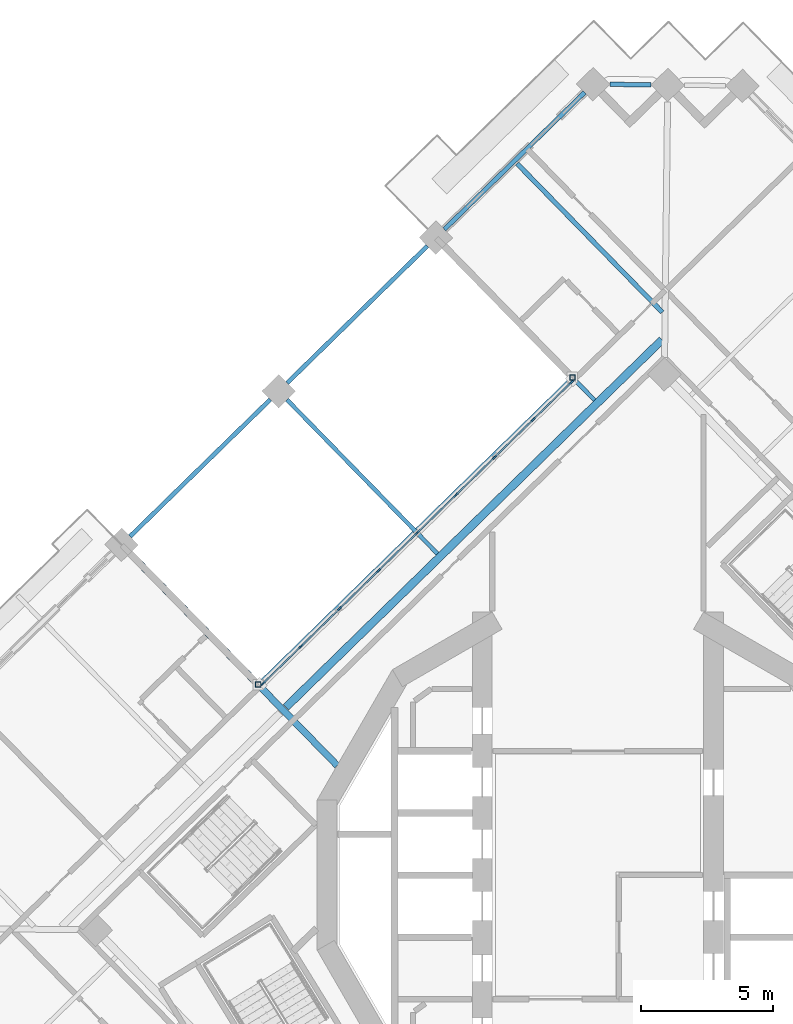
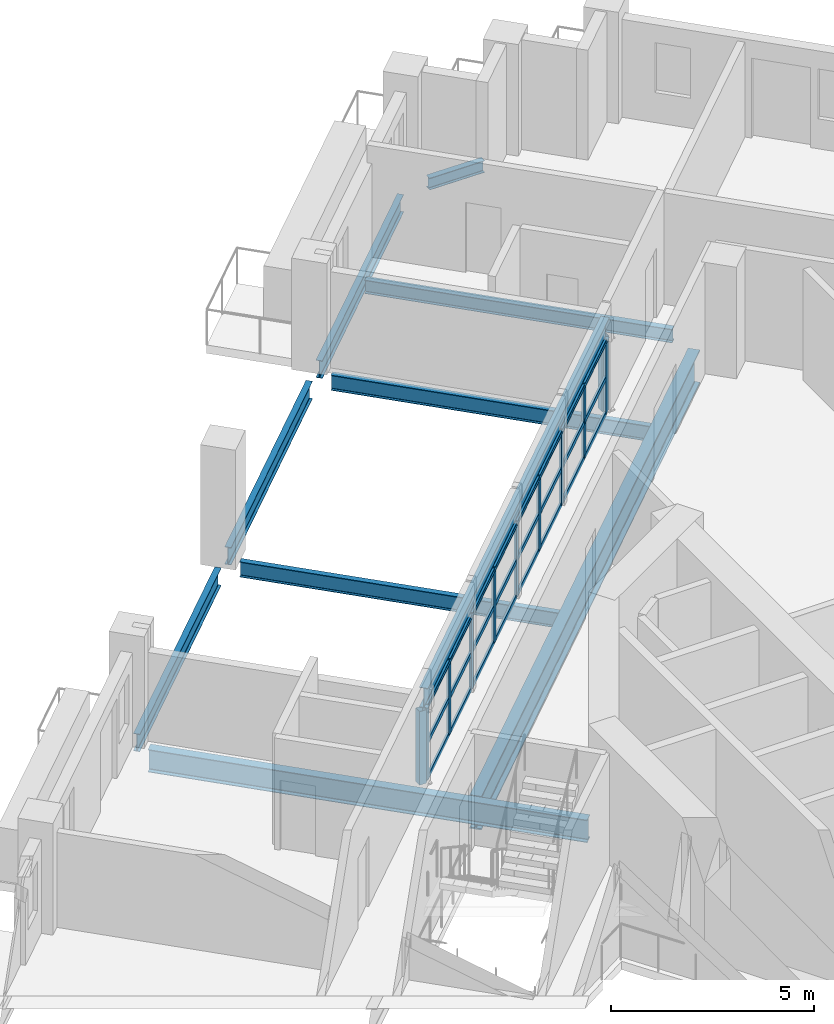
# One storey, part 2 of 19: 35 members, 10 beams, 1 element without a shape of its own.
"""IFC4 building model written with IfcOpenShell, lengths in metres."""

import ifcopenshell
import ifcopenshell.guid

model = None  # the IFC model being written
_history = None  # IfcOwnerHistory: only IFC2X3 demands one
_inside = {}  # id of a spatial element -> (the spatial element, [elements in it])
_under = {}  # id of a project, library or spatial element -> (it, [spatial elements below it])
_declared = {}  # id of a project -> (the project, [libraries it declares])
_typed = {}  # id of a type object -> (the type object, [elements of that type])
_made_of = {}  # id of a material, layer set ... -> (it, [elements and type objects made of it])


def new_model(schema):
    """Start an empty IFC model of exactly this schema.

    Asked for "IFC4X3", IfcOpenShell would pick the latest addendum, in which some entities
    have other attributes; the version numbers below select the first issue.
    IFC2X3 requires an IfcOwnerHistory on every rooted entity: one is made here for all.
    """
    global model, _history
    if schema == "IFC4X3":
        model = ifcopenshell.file(schema_version=(4, 3, 0, 0))
    else:
        model = ifcopenshell.file(schema=schema)
    _inside.clear()
    _under.clear()
    _declared.clear()
    _typed.clear()
    _made_of.clear()
    _history = None
    if model.schema == "IFC2X3":
        org = make("IfcOrganization", Name="unknown")
        user = make(
            "IfcPersonAndOrganization",
            ThePerson=make("IfcPerson", FamilyName="unknown"),
            TheOrganization=org,
        )
        app = make(
            "IfcApplication",
            ApplicationDeveloper=org,
            Version="unknown",
            ApplicationFullName="unknown",
            ApplicationIdentifier="unknown",
        )
        _history = make(
            "IfcOwnerHistory",
            OwningUser=user,
            OwningApplication=app,
            ChangeAction="ADDED",
            CreationDate=0,
        )
    return model


def make(cls, **values):
    """One entity of the class cls with the attributes given. An attribute that is None is left unset."""
    return model.create_entity(
        cls, **{name: value for name, value in values.items() if value is not None}
    )


def rooted(cls, **values):
    """An entity with a GlobalId (a new one), such as an element, a storey or a relation."""
    return make(cls, GlobalId=ifcopenshell.guid.new(), OwnerHistory=_history, **values)


def si_unit(unit_type, name, prefix=None):
    """IfcSIUnit, for example si_unit("LENGTHUNIT", "METRE", prefix="MILLI")."""
    return make("IfcSIUnit", UnitType=unit_type, Prefix=prefix, Name=name)


def assignment(units):
    """IfcUnitAssignment: the units of a project."""
    return None if units is None else make("IfcUnitAssignment", Units=units)


def point(xyz):
    """IfcCartesianPoint."""
    return None if xyz is None else make("IfcCartesianPoint", Coordinates=xyz)


def direction(xyz):
    """IfcDirection."""
    return None if xyz is None else make("IfcDirection", DirectionRatios=xyz)


def frame(location, z_axis=None, x_axis=None):
    """IfcAxis2Placement3D, a coordinate frame: its origin and axes. An axis left out is left unset."""
    return make(
        "IfcAxis2Placement3D",
        Location=point(location),
        Axis=direction(z_axis),
        RefDirection=direction(x_axis),
    )


def frame_2d(location, x_axis=None):
    """IfcAxis2Placement2D, a coordinate frame in the plane: its origin and x axis."""
    return make(
        "IfcAxis2Placement2D", Location=point(location), RefDirection=direction(x_axis)
    )


def origin():
    """The frame at (0, 0, 0) with its axes left unset."""
    return frame((0.0, 0.0, 0.0))


def origin_2d():
    """The frame at (0, 0) in the plane with its x axis left unset."""
    return frame_2d((0.0, 0.0))


def place(relative_to, where):
    """IfcLocalPlacement: puts the frame where relative to a parent placement (None: the world)."""
    return make(
        "IfcLocalPlacement", PlacementRelTo=relative_to, RelativePlacement=where
    )


def context(
    kind, dimensions, precision=None, world=None, true_north=None, identifier=None
):
    """IfcGeometricRepresentationContext, for example the 3D "Model" context."""
    return make(
        "IfcGeometricRepresentationContext",
        ContextIdentifier=identifier,
        ContextType=kind,
        CoordinateSpaceDimension=dimensions,
        Precision=precision,
        WorldCoordinateSystem=world,
        TrueNorth=true_north,
    )


def subcontext(parent, identifier, kind, view, scale=None):
    """IfcGeometricRepresentationSubContext, for example "Body" below "Model"."""
    return make(
        "IfcGeometricRepresentationSubContext",
        ContextIdentifier=identifier,
        ContextType=kind,
        ParentContext=parent,
        TargetScale=scale,
        TargetView=view,
    )


def project(units=None, contexts=None):
    """IfcProject with its units and contexts."""
    return rooted(
        "IfcProject",
        Name="project",
        RepresentationContexts=contexts,
        UnitsInContext=assignment(units),
    )


def spatial(cls, under=None, at=None, **own):
    """A site, building, storey or space (cls), placed at a placement, below another one or the project."""
    s = rooted(cls, ObjectPlacement=at, **own)
    if under is not None:
        _under.setdefault(under.id(), (under, []))[1].append(s)
    return s


def profile(cls, at=None, kind="AREA", **sizes):
    """A parametric profile (cls). Its sizes go by their IFC names, for example OverallWidth=200.0."""
    return make(cls, ProfileType=kind, Position=at, **sizes)


def rectangle(**sizes):
    """IfcRectangleProfileDef."""
    return profile("IfcRectangleProfileDef", **sizes)


def hollow_rectangle(**sizes):
    """IfcRectangleHollowProfileDef."""
    return profile("IfcRectangleHollowProfileDef", **sizes)


def i_section(**sizes):
    """IfcIShapeProfileDef."""
    return profile("IfcIShapeProfileDef", **sizes)


def extrude(swept, where, along, depth):
    """IfcExtrudedAreaSolid: the profile swept, set in the frame where, extruded along a direction by depth."""
    return make(
        "IfcExtrudedAreaSolid",
        SweptArea=swept,
        Position=where,
        ExtrudedDirection=direction(along),
        Depth=depth,
    )


def shape(context_of_items, identifier, shape_type, items):
    """IfcShapeRepresentation: the items that make up one representation, for example the "Body"."""
    return make(
        "IfcShapeRepresentation",
        ContextOfItems=context_of_items,
        RepresentationIdentifier=identifier,
        RepresentationType=shape_type,
        Items=items,
    )


def material(Name=None, Category=None):
    """IfcMaterial."""
    return make("IfcMaterial", Name=Name, Category=Category)


def material_profile(
    of_material, cross_section, Name=None, Category=None, Priority=None
):
    """IfcMaterialProfile: a cross section and its material."""
    return make(
        "IfcMaterialProfile",
        Name=Name,
        Material=of_material,
        Profile=cross_section,
        Priority=Priority,
        Category=Category,
    )


def profile_set(profiles, Name=None, composite=None):
    """IfcMaterialProfileSet."""
    return make(
        "IfcMaterialProfileSet",
        Name=Name,
        MaterialProfiles=profiles,
        CompositeProfile=composite,
    )


def made_of(thing, what):
    """Note that an element or type object is made of a material, layer set ...; save() writes the relation."""
    if what is not None:
        _made_of.setdefault(what.id(), (what, []))[1].append(thing)
    return thing


def type_object(cls, material=None, **own):
    """A type object (cls), such as IfcWallType, which elements share."""
    return made_of(rooted(cls, **own), material)


def element(
    cls,
    number,
    at=None,
    inside=None,
    cuts=None,
    type_object=None,
    material=None,
    context=None,
    identifier="Body",
    shape_type=None,
    held_by="IfcProductDefinitionShape",
    body=None,
    shapes=None,
    **own,
):
    """One element of the class cls, such as IfcWall. Its Tag is "e" and its number.

    at: its placement. inside: the storey or other place that contains it. cuts: it is an
    opening in that element (IfcRelVoidsElement). A single representation is given by context,
    identifier, shape_type and body (its items); several are given by shapes. held_by: the class
    of the entity that holds the representations. save() writes the other relations.
    """
    e = rooted(cls, Tag="e%d" % number, ObjectPlacement=at, **own)
    if body is not None:
        shapes = [shape(context, identifier, shape_type, body)]
    if shapes is not None:
        e.Representation = make(held_by, Representations=shapes)
    if inside is not None:
        _inside.setdefault(inside.id(), (inside, []))[1].append(e)
    if cuts is not None:
        rooted(
            "IfcRelVoidsElement", RelatingBuildingElement=cuts, RelatedOpeningElement=e
        )
    if type_object is not None:
        _typed.setdefault(type_object.id(), (type_object, []))[1].append(e)
    return made_of(e, material)


def aggregate(whole, parts):
    """IfcRelAggregates: a whole, such as a stair, and the parts it consists of."""
    return rooted("IfcRelAggregates", RelatingObject=whole, RelatedObjects=parts)


def save(model, path):
    """Write the relations noted so far, then the file.

    IfcRelAggregates (storeys below a building ...), IfcRelContainedInSpatialStructure (elements
    in a storey), IfcRelDefinesByType, IfcRelAssociatesMaterial and IfcRelDeclares: one each for
    every whole, place, type object, material and project.
    """
    for whole, parts in _under.values():
        aggregate(whole, parts)
    for where, things in _inside.values():
        rooted(
            "IfcRelContainedInSpatialStructure",
            RelatedElements=things,
            RelatingStructure=where,
        )
    for kind, things in _typed.values():
        rooted("IfcRelDefinesByType", RelatedObjects=things, RelatingType=kind)
    for what, things in _made_of.values():
        rooted("IfcRelAssociatesMaterial", RelatedObjects=things, RelatingMaterial=what)
    for by, libraries in _declared.values():
        rooted("IfcRelDeclares", RelatingContext=by, RelatedDefinitions=libraries)
    model.write(path)


model = new_model("IFC4")

# Units and contexts
model_context = context("Model", 3, precision=1e-05, world=origin(), true_north=direction((0.0, 1.0)))
body_context = subcontext(model_context, "Body", "Model", "MODEL_VIEW")
ifc_project = project(units=[si_unit("LENGTHUNIT", "METRE"), si_unit("AREAUNIT", "SQUARE_METRE"), si_unit("VOLUMEUNIT", "CUBIC_METRE"), si_unit("PLANEANGLEUNIT", "RADIAN"), si_unit("MASSUNIT", "GRAM", prefix="KILO")], contexts=[model_context])

# Site, building, storey
site_placement = place(None, origin())
site = spatial("IfcSite", under=ifc_project, at=site_placement, CompositionType="ELEMENT")
building_placement = place(site_placement, origin())
building = spatial("IfcBuilding", under=site, at=building_placement, Name="Cantera Rosa Tower", CompositionType="ELEMENT")
storey_placement = place(building_placement, frame((0.0, 0.0, 223.39990234375)))
storey = spatial("IfcBuildingStorey", under=building, at=storey_placement, Name="L48", CompositionType="ELEMENT", Elevation=223.39990234375)

# Curtain wall, members
ifc_material_1 = material(Name="Aluminium frame with clear glass", Category="aluminium")
curtain_wall_type = type_object("IfcCurtainWallType", Name="CW1 TERRACE POCKET GLAZING", PredefinedType="NOTDEFINED", material=ifc_material_1)
curtain_wall_placement = place(storey_placement, origin())
curtain_wall = element("IfcCurtainWall", 1, at=curtain_wall_placement, inside=storey, type_object=curtain_wall_type, Name="CW1 CW1", PredefinedType="NOTDEFINED")
ifc_material_2 = material(Name="Anodised bronze aluminium", Category="aluminium")
ifc_material_profile_1 = material_profile(ifc_material_2, rectangle(XDim=0.06005859375, YDim=0.179931640625, at=origin_2d()), Name="CW-MULLION 60x180 POCKET")
ifc_profile_set_1 = profile_set([ifc_material_profile_1], Name="Anodised bronze aluminium")
member_type_1 = type_object("IfcMemberType", Name="CW-MULLION 60x180 POCKET", PredefinedType="MULLION", material=ifc_profile_set_1)
member_1_placement = place(storey_placement, frame((-1.002685546875, 18.662841796875, 0.0), z_axis=(0.0, 0.0, 1.0), x_axis=(0.698831540364, -0.71528629107, 0.0)))
member_1 = element("IfcMember", 2, at=member_1_placement, type_object=member_type_1, Name="CW1 mullion 1", PredefinedType="MULLION", context=body_context, shape_type="SweptSolid", body=[
    extrude(rectangle(XDim=0.06005859375, YDim=0.179931640625, at=origin_2d()), origin(), (0.0, 0.0, 1.0), 2.2060546875),
])
member_2_placement = place(storey_placement, frame((-2.44677734375, 17.252197265625, 0.0), z_axis=(0.0, 0.0, 1.0), x_axis=(0.698831540364, -0.71528629107, 0.0)))
member_2 = element("IfcMember", 3, at=member_2_placement, type_object=member_type_1, Name="CW1 mullion 2", PredefinedType="MULLION", context=body_context, shape_type="SweptSolid", body=[
    extrude(rectangle(XDim=0.06005859375, YDim=0.179931640625, at=origin_2d()), origin(), (0.0, 0.0, 1.0), 2.2060546875),
])
member_3_placement = place(storey_placement, frame((-3.912109375, 15.8203125, 0.0), z_axis=(0.0, 0.0, 1.0), x_axis=(0.698831540364, -0.71528629107, 0.0)))
member_3 = element("IfcMember", 4, at=member_3_placement, type_object=member_type_1, Name="CW1 mullion 3", PredefinedType="MULLION", context=body_context, shape_type="SweptSolid", body=[
    extrude(rectangle(XDim=0.06005859375, YDim=0.179931640625, at=origin_2d()), origin(), (0.0, 0.0, 1.0), 2.2060546875),
])
member_4_placement = place(storey_placement, frame((-5.37744140625, 14.388671875, 0.0), z_axis=(0.0, 0.0, 1.0), x_axis=(0.698831540364, -0.71528629107, 0.0)))
member_4 = element("IfcMember", 5, at=member_4_placement, type_object=member_type_1, Name="CW1 mullion 4", PredefinedType="MULLION", context=body_context, shape_type="SweptSolid", body=[
    extrude(rectangle(XDim=0.06005859375, YDim=0.179931640625, at=origin_2d()), origin(), (0.0, 0.0, 1.0), 2.2060546875),
])
member_5_placement = place(storey_placement, frame((-6.843017578125, 12.95703125, 0.0), z_axis=(0.0, 0.0, 1.0), x_axis=(0.698831540364, -0.71528629107, 0.0)))
member_5 = element("IfcMember", 6, at=member_5_placement, type_object=member_type_1, Name="CW1 mullion 5", PredefinedType="MULLION", context=body_context, shape_type="SweptSolid", body=[
    extrude(rectangle(XDim=0.06005859375, YDim=0.179931640625, at=origin_2d()), origin(), (0.0, 0.0, 1.0), 2.2060546875),
])
member_6_placement = place(storey_placement, frame((-8.308349609375, 11.525146484375, 0.0), z_axis=(0.0, 0.0, 1.0), x_axis=(0.698831540364, -0.71528629107, 0.0)))
member_6 = element("IfcMember", 7, at=member_6_placement, type_object=member_type_1, Name="CW1 mullion 6", PredefinedType="MULLION", context=body_context, shape_type="SweptSolid", body=[
    extrude(rectangle(XDim=0.06005859375, YDim=0.179931640625, at=origin_2d()), origin(), (0.0, 0.0, 1.0), 2.2060546875),
])
member_7_placement = place(storey_placement, frame((-9.77392578125, 10.093505859375, 0.0), z_axis=(0.0, 0.0, 1.0), x_axis=(0.698831540364, -0.71528629107, 0.0)))
member_7 = element("IfcMember", 8, at=member_7_placement, type_object=member_type_1, Name="CW1 mullion 7", PredefinedType="MULLION", context=body_context, shape_type="SweptSolid", body=[
    extrude(rectangle(XDim=0.06005859375, YDim=0.179931640625, at=origin_2d()), origin(), (0.0, 0.0, 1.0), 2.2060546875),
])
member_8_placement = place(storey_placement, frame((-11.2392578125, 8.66162109375, 0.0), z_axis=(0.0, 0.0, 1.0), x_axis=(0.698831540364, -0.71528629107, 0.0)))
member_8 = element("IfcMember", 9, at=member_8_placement, type_object=member_type_1, Name="CW1 mullion 8", PredefinedType="MULLION", context=body_context, shape_type="SweptSolid", body=[
    extrude(rectangle(XDim=0.06005859375, YDim=0.179931640625, at=origin_2d()), origin(), (0.0, 0.0, 1.0), 2.2060546875),
])
member_9_placement = place(storey_placement, frame((-12.683349609375, 7.2509765625, 0.0), z_axis=(0.0, 0.0, 1.0), x_axis=(0.698831540364, -0.71528629107, 0.0)))
member_9 = element("IfcMember", 10, at=member_9_placement, type_object=member_type_1, Name="CW1 mullion 9", PredefinedType="MULLION", context=body_context, shape_type="SweptSolid", body=[
    extrude(rectangle(XDim=0.06005859375, YDim=0.179931640625, at=origin_2d()), origin(), (0.0, 0.0, 1.0), 2.2060546875),
])
ifc_material_3 = material(Name="Anodised bronze aluminium", Category="aluminium")
ifc_material_profile_2 = material_profile(ifc_material_3, rectangle(XDim=0.06005859375, YDim=0.139892578125, at=origin_2d()), Name="CW-TRANSOM 60x140 POCKET")
ifc_profile_set_2 = profile_set([ifc_material_profile_2], Name="Anodised bronze aluminium")
member_type_2 = type_object("IfcMemberType", Name="CW-TRANSOM 60x140 POCKET", PredefinedType="USERDEFINED", material=ifc_profile_set_2)
member_10_placement = place(storey_placement, frame((-1.024169921875, 18.641845703125, 0.030029296875), z_axis=(-0.715284895398, -0.698832968896, 0.0), x_axis=(0.698832968896, -0.715284895398, 0.0)))
member_10 = element("IfcMember", 11, at=member_10_placement, type_object=member_type_2, Name="CW1 transom 1.1", ObjectType="TRANSOM", PredefinedType="USERDEFINED", context=body_context, shape_type="SweptSolid", body=[
    extrude(rectangle(XDim=0.06005859375, YDim=0.139892578125, at=origin_2d()), origin(), (0.0, 0.0, 1.0), 1.958740234375),
])
member_11_placement = place(storey_placement, frame((-1.024169921875, 18.641845703125, 1.10302734375), z_axis=(-0.715284895398, -0.698832968896, 0.0), x_axis=(0.698832968896, -0.715284895398, 0.0)))
member_11 = element("IfcMember", 12, at=member_11_placement, type_object=member_type_2, Name="CW1 transom 1.2", ObjectType="TRANSOM", PredefinedType="USERDEFINED", context=body_context, shape_type="SweptSolid", body=[
    extrude(rectangle(XDim=0.06005859375, YDim=0.139892578125, at=origin_2d()), origin(), (0.0, 0.0, 1.0), 1.958740234375),
])
member_12_placement = place(storey_placement, frame((-1.024169921875, 18.641845703125, 2.176025390625), z_axis=(-0.715284895398, -0.698832968896, 0.0), x_axis=(0.698832968896, -0.715284895398, 0.0)))
member_12 = element("IfcMember", 13, at=member_12_placement, type_object=member_type_2, Name="CW1 transom 1.3", ObjectType="TRANSOM", PredefinedType="USERDEFINED", context=body_context, shape_type="SweptSolid", body=[
    extrude(rectangle(XDim=0.06005859375, YDim=0.139892578125, at=origin_2d()), origin(), (0.0, 0.0, 1.0), 1.958740234375),
])
member_13_placement = place(storey_placement, frame((-2.468017578125, 17.231201171875, 0.030029296875), z_axis=(-0.715283419933, -0.698834479093, 0.0), x_axis=(0.698834479093, -0.715283419933, 0.0)))
member_13 = element("IfcMember", 14, at=member_13_placement, type_object=member_type_2, Name="CW1 transom 2.1", ObjectType="TRANSOM", PredefinedType="USERDEFINED", context=body_context, shape_type="SweptSolid", body=[
    extrude(rectangle(XDim=0.06005859375, YDim=0.139892578125, at=origin_2d()), origin(), (0.0, 0.0, 1.0), 1.98876953125),
])
member_14_placement = place(storey_placement, frame((-2.468017578125, 17.231201171875, 1.10302734375), z_axis=(-0.715283419933, -0.698834479093, 0.0), x_axis=(0.698834479093, -0.715283419933, 0.0)))
member_14 = element("IfcMember", 15, at=member_14_placement, type_object=member_type_2, Name="CW1 transom 2.2", ObjectType="TRANSOM", PredefinedType="USERDEFINED", context=body_context, shape_type="SweptSolid", body=[
    extrude(rectangle(XDim=0.06005859375, YDim=0.139892578125, at=origin_2d()), origin(), (0.0, 0.0, 1.0), 1.98876953125),
])
member_15_placement = place(storey_placement, frame((-2.468017578125, 17.231201171875, 2.176025390625), z_axis=(-0.715283419933, -0.698834479093, 0.0), x_axis=(0.698834479093, -0.715283419933, 0.0)))
member_15 = element("IfcMember", 16, at=member_15_placement, type_object=member_type_2, Name="CW1 transom 2.3", ObjectType="TRANSOM", PredefinedType="USERDEFINED", context=body_context, shape_type="SweptSolid", body=[
    extrude(rectangle(XDim=0.06005859375, YDim=0.139892578125, at=origin_2d()), origin(), (0.0, 0.0, 1.0), 1.98876953125),
])
member_16_placement = place(storey_placement, frame((-3.93359375, 15.79931640625, 0.030029296875), z_axis=(-0.715344782477, -0.6987716667, 0.0), x_axis=(0.6987716667, -0.715344782477, 0.0)))
member_16 = element("IfcMember", 17, at=member_16_placement, type_object=member_type_2, Name="CW1 transom 3.1", ObjectType="TRANSOM", PredefinedType="USERDEFINED", context=body_context, shape_type="SweptSolid", body=[
    extrude(rectangle(XDim=0.06005859375, YDim=0.139892578125, at=origin_2d()), origin(), (0.0, 0.0, 1.0), 1.98876953125),
])
member_17_placement = place(storey_placement, frame((-3.93359375, 15.79931640625, 1.10302734375), z_axis=(-0.715344782477, -0.6987716667, 0.0), x_axis=(0.6987716667, -0.715344782477, 0.0)))
member_17 = element("IfcMember", 18, at=member_17_placement, type_object=member_type_2, Name="CW1 transom 3.2", ObjectType="TRANSOM", PredefinedType="USERDEFINED", context=body_context, shape_type="SweptSolid", body=[
    extrude(rectangle(XDim=0.06005859375, YDim=0.139892578125, at=origin_2d()), origin(), (0.0, 0.0, 1.0), 1.98876953125),
])
member_18_placement = place(storey_placement, frame((-3.93359375, 15.79931640625, 2.176025390625), z_axis=(-0.715344782477, -0.6987716667, 0.0), x_axis=(0.6987716667, -0.715344782477, 0.0)))
member_18 = element("IfcMember", 19, at=member_18_placement, type_object=member_type_2, Name="CW1 transom 3.3", ObjectType="TRANSOM", PredefinedType="USERDEFINED", context=body_context, shape_type="SweptSolid", body=[
    extrude(rectangle(XDim=0.06005859375, YDim=0.139892578125, at=origin_2d()), origin(), (0.0, 0.0, 1.0), 1.98876953125),
])
member_19_placement = place(storey_placement, frame((-5.39892578125, 14.36767578125, 0.030029296875), z_axis=(-0.715283419933, -0.698834479093, 0.0), x_axis=(0.698834479093, -0.715283419933, 0.0)))
member_19 = element("IfcMember", 20, at=member_19_placement, type_object=member_type_2, Name="CW1 transom 4.1", ObjectType="TRANSOM", PredefinedType="USERDEFINED", context=body_context, shape_type="SweptSolid", body=[
    extrude(rectangle(XDim=0.06005859375, YDim=0.139892578125, at=origin_2d()), origin(), (0.0, 0.0, 1.0), 1.98876953125),
])
member_20_placement = place(storey_placement, frame((-5.39892578125, 14.36767578125, 1.10302734375), z_axis=(-0.715283419933, -0.698834479093, 0.0), x_axis=(0.698834479093, -0.715283419933, 0.0)))
member_20 = element("IfcMember", 21, at=member_20_placement, type_object=member_type_2, Name="CW1 transom 4.2", ObjectType="TRANSOM", PredefinedType="USERDEFINED", context=body_context, shape_type="SweptSolid", body=[
    extrude(rectangle(XDim=0.06005859375, YDim=0.139892578125, at=origin_2d()), origin(), (0.0, 0.0, 1.0), 1.98876953125),
])
member_21_placement = place(storey_placement, frame((-5.39892578125, 14.36767578125, 2.176025390625), z_axis=(-0.715283419933, -0.698834479093, 0.0), x_axis=(0.698834479093, -0.715283419933, 0.0)))
member_21 = element("IfcMember", 22, at=member_21_placement, type_object=member_type_2, Name="CW1 transom 4.3", ObjectType="TRANSOM", PredefinedType="USERDEFINED", context=body_context, shape_type="SweptSolid", body=[
    extrude(rectangle(XDim=0.06005859375, YDim=0.139892578125, at=origin_2d()), origin(), (0.0, 0.0, 1.0), 1.98876953125),
])
member_22_placement = place(storey_placement, frame((-6.864501953125, 12.93603515625, 0.030029296875), z_axis=(-0.715223463058, -0.698895841948, 0.0), x_axis=(0.698895841948, -0.715223463058, 0.0)))
member_22 = element("IfcMember", 23, at=member_22_placement, type_object=member_type_2, Name="CW1 transom 5.1", ObjectType="TRANSOM", PredefinedType="USERDEFINED", context=body_context, shape_type="SweptSolid", body=[
    extrude(rectangle(XDim=0.06005859375, YDim=0.139892578125, at=origin_2d()), origin(), (0.0, 0.0, 1.0), 1.98876953125),
])
member_23_placement = place(storey_placement, frame((-6.864501953125, 12.93603515625, 1.10302734375), z_axis=(-0.715223463058, -0.698895841948, 0.0), x_axis=(0.698895841948, -0.715223463058, 0.0)))
member_23 = element("IfcMember", 24, at=member_23_placement, type_object=member_type_2, Name="CW1 transom 5.2", ObjectType="TRANSOM", PredefinedType="USERDEFINED", context=body_context, shape_type="SweptSolid", body=[
    extrude(rectangle(XDim=0.06005859375, YDim=0.139892578125, at=origin_2d()), origin(), (0.0, 0.0, 1.0), 1.98876953125),
])
member_24_placement = place(storey_placement, frame((-6.864501953125, 12.93603515625, 2.176025390625), z_axis=(-0.715223463058, -0.698895841948, 0.0), x_axis=(0.698895841948, -0.715223463058, 0.0)))
member_24 = element("IfcMember", 25, at=member_24_placement, type_object=member_type_2, Name="CW1 transom 5.3", ObjectType="TRANSOM", PredefinedType="USERDEFINED", context=body_context, shape_type="SweptSolid", body=[
    extrude(rectangle(XDim=0.06005859375, YDim=0.139892578125, at=origin_2d()), origin(), (0.0, 0.0, 1.0), 1.98876953125),
])
member_25_placement = place(storey_placement, frame((-8.329833984375, 11.504150390625, 0.030029296875), z_axis=(-0.715344782477, -0.6987716667, 0.0), x_axis=(0.6987716667, -0.715344782477, 0.0)))
member_25 = element("IfcMember", 26, at=member_25_placement, type_object=member_type_2, Name="CW1 transom 6.1", ObjectType="TRANSOM", PredefinedType="USERDEFINED", context=body_context, shape_type="SweptSolid", body=[
    extrude(rectangle(XDim=0.06005859375, YDim=0.139892578125, at=origin_2d()), origin(), (0.0, 0.0, 1.0), 1.98876953125),
])
member_26_placement = place(storey_placement, frame((-8.329833984375, 11.504150390625, 1.10302734375), z_axis=(-0.715344782477, -0.6987716667, 0.0), x_axis=(0.6987716667, -0.715344782477, 0.0)))
member_26 = element("IfcMember", 27, at=member_26_placement, type_object=member_type_2, Name="CW1 transom 6.2", ObjectType="TRANSOM", PredefinedType="USERDEFINED", context=body_context, shape_type="SweptSolid", body=[
    extrude(rectangle(XDim=0.06005859375, YDim=0.139892578125, at=origin_2d()), origin(), (0.0, 0.0, 1.0), 1.98876953125),
])
member_27_placement = place(storey_placement, frame((-8.329833984375, 11.504150390625, 2.176025390625), z_axis=(-0.715344782477, -0.6987716667, 0.0), x_axis=(0.6987716667, -0.715344782477, 0.0)))
member_27 = element("IfcMember", 28, at=member_27_placement, type_object=member_type_2, Name="CW1 transom 6.3", ObjectType="TRANSOM", PredefinedType="USERDEFINED", context=body_context, shape_type="SweptSolid", body=[
    extrude(rectangle(XDim=0.06005859375, YDim=0.139892578125, at=origin_2d()), origin(), (0.0, 0.0, 1.0), 1.98876953125),
])
member_28_placement = place(storey_placement, frame((-9.79541015625, 10.072509765625, 0.030029296875), z_axis=(-0.715223463058, -0.698895841948, 0.0), x_axis=(0.698895841948, -0.715223463058, 0.0)))
member_28 = element("IfcMember", 29, at=member_28_placement, type_object=member_type_2, Name="CW1 transom 7.1", ObjectType="TRANSOM", PredefinedType="USERDEFINED", context=body_context, shape_type="SweptSolid", body=[
    extrude(rectangle(XDim=0.06005859375, YDim=0.139892578125, at=origin_2d()), origin(), (0.0, 0.0, 1.0), 1.98876953125),
])
member_29_placement = place(storey_placement, frame((-9.79541015625, 10.072509765625, 1.10302734375), z_axis=(-0.715223463058, -0.698895841948, 0.0), x_axis=(0.698895841948, -0.715223463058, 0.0)))
member_29 = element("IfcMember", 30, at=member_29_placement, type_object=member_type_2, Name="CW1 transom 7.2", ObjectType="TRANSOM", PredefinedType="USERDEFINED", context=body_context, shape_type="SweptSolid", body=[
    extrude(rectangle(XDim=0.06005859375, YDim=0.139892578125, at=origin_2d()), origin(), (0.0, 0.0, 1.0), 1.98876953125),
])
member_30_placement = place(storey_placement, frame((-9.79541015625, 10.072509765625, 2.176025390625), z_axis=(-0.715223463058, -0.698895841948, 0.0), x_axis=(0.698895841948, -0.715223463058, 0.0)))
member_30 = element("IfcMember", 31, at=member_30_placement, type_object=member_type_2, Name="CW1 transom 7.3", ObjectType="TRANSOM", PredefinedType="USERDEFINED", context=body_context, shape_type="SweptSolid", body=[
    extrude(rectangle(XDim=0.06005859375, YDim=0.139892578125, at=origin_2d()), origin(), (0.0, 0.0, 1.0), 1.98876953125),
])
member_31_placement = place(storey_placement, frame((-11.2607421875, 8.640869140625, 0.030029296875), z_axis=(-0.715284895398, -0.698832968896, 0.0), x_axis=(0.698832968896, -0.715284895398, 0.0)))
member_31 = element("IfcMember", 32, at=member_31_placement, type_object=member_type_2, Name="CW1 transom 8.1", ObjectType="TRANSOM", PredefinedType="USERDEFINED", context=body_context, shape_type="SweptSolid", body=[
    extrude(rectangle(XDim=0.06005859375, YDim=0.139892578125, at=origin_2d()), origin(), (0.0, 0.0, 1.0), 1.958740234375),
])
member_32_placement = place(storey_placement, frame((-11.2607421875, 8.640869140625, 1.10302734375), z_axis=(-0.715284895398, -0.698832968896, 0.0), x_axis=(0.698832968896, -0.715284895398, 0.0)))
member_32 = element("IfcMember", 33, at=member_32_placement, type_object=member_type_2, Name="CW1 transom 8.2", ObjectType="TRANSOM", PredefinedType="USERDEFINED", context=body_context, shape_type="SweptSolid", body=[
    extrude(rectangle(XDim=0.06005859375, YDim=0.139892578125, at=origin_2d()), origin(), (0.0, 0.0, 1.0), 1.958740234375),
])
member_33_placement = place(storey_placement, frame((-11.2607421875, 8.640869140625, 2.176025390625), z_axis=(-0.715284895398, -0.698832968896, 0.0), x_axis=(0.698832968896, -0.715284895398, 0.0)))
member_33 = element("IfcMember", 34, at=member_33_placement, type_object=member_type_2, Name="CW1 transom 8.3", ObjectType="TRANSOM", PredefinedType="USERDEFINED", context=body_context, shape_type="SweptSolid", body=[
    extrude(rectangle(XDim=0.06005859375, YDim=0.139892578125, at=origin_2d()), origin(), (0.0, 0.0, 1.0), 1.958740234375),
])
aggregate(curtain_wall, [member_1, member_2, member_3, member_4, member_5, member_6, member_7, member_8, member_9, member_10, member_11, member_12, member_13, member_14, member_15, member_16, member_17, member_18, member_19, member_20, member_21, member_22, member_23, member_24, member_25, member_26, member_27, member_28, member_29, member_30, member_31, member_32, member_33])

# Members
ifc_material_4 = material(Name="Steel ASTM A992 (Fy 345 MPa)", Category="steel")
ifc_material_profile_3 = material_profile(ifc_material_4, hollow_rectangle(XDim=0.199951171875, YDim=0.199951171875, WallThickness=0.010009765625, at=origin_2d()), Name="LINTEL POST RHS 200x200x10")
ifc_profile_set_3 = profile_set([ifc_material_profile_3], Name="Steel ASTM A992 (Fy 345 MPa)")
member_type_3 = type_object("IfcMemberType", Name="LINTEL POST RHS 200x200x10", PredefinedType="USERDEFINED", material=ifc_profile_set_3)
for number, where, z_axis, x_axis, name in (
    (35, (-0.961669921875, 18.8427734375, 0.0), (0.0, 0.0, 1.0), (1.0, 0.0, 0.0), "LINTEL POST L48-1"),
    (36, (-12.864013671875, 7.214111328125, 0.0), (0.0, 0.0, 1.0), (1.0, 0.0, 0.0), "LINTEL POST L48-2"),
):
    element("IfcMember", number, at=place(storey_placement, frame(where, z_axis=z_axis, x_axis=x_axis)), inside=storey, type_object=member_type_3, Name=name, ObjectType="LINTEL POST", PredefinedType="USERDEFINED", context=body_context, shape_type="SweptSolid", body=[
        extrude(hollow_rectangle(XDim=0.199951171875, YDim=0.199951171875, WallThickness=0.010009765625, at=origin_2d()), origin(), (0.0, 0.0, 1.0), 2.2080078125),
    ])

# Beams
ifc_material_5 = material(Name="Steel ASTM A992 (Fy 345 MPa)", Category="steel")
ifc_material_profile_4 = material_profile(ifc_material_5, i_section(OverallWidth=0.302001953125, OverallDepth=1.010009765625, WebThickness=0.02099609375, FlangeThickness=0.0400390625, FilletRadius=0.030029296875, at=origin_2d()), Name="W1000X350")
ifc_profile_set_4 = profile_set([ifc_material_profile_4], Name="Steel ASTM A992 (Fy 345 MPa)")
beam_type_1 = type_object("IfcBeamType", Name="STEEL BEAM W1000X350", PredefinedType="BEAM", material=ifc_profile_set_4)
beam_1_placement = place(storey_placement, frame((-11.813232421875, 6.353271484375, -0.7548828125), z_axis=(0.715280810147, 0.698837150297, 0.0), x_axis=(-0.698837150297, 0.715280810147, 0.0)))
element("IfcBeam", 37, at=beam_1_placement, inside=storey, type_object=beam_type_1, Name="RB-Z4-02 L48", PredefinedType="BEAM", context=body_context, shape_type="SweptSolid", body=[
    extrude(i_section(OverallWidth=0.302001953125, OverallDepth=1.010009765625, WebThickness=0.02099609375, FlangeThickness=0.0400390625, FilletRadius=0.030029296875, at=origin_2d()), origin(), (0.0, 0.0, 1.0), 19.909912109375),
])
ifc_material_6 = material(Name="Steel ASTM A992 (Fy 345 MPa)", Category="steel")
ifc_material_profile_5 = material_profile(ifc_material_6, i_section(OverallWidth=0.154052734375, OverallDepth=0.4599609375, WebThickness=0.009033203125, FlangeThickness=0.015380859375, FilletRadius=0.01025390625, at=origin_2d()), Name="W460X68")
ifc_profile_set_5 = profile_set([ifc_material_profile_5], Name="Steel ASTM A992 (Fy 345 MPa)")
beam_type_2 = type_object("IfcBeamType", Name="STEEL BEAM W460X68", PredefinedType="BEAM", material=ifc_profile_set_5)
for number, where, z_axis, x_axis, name in (
    (38, (-5.818603515625, 23.81396484375, -0.47998046875), (0.698836133494, -0.715281803574, 0.0), (0.715281803574, 0.698836133494, 0.0), "G-Z4-05 L48"),
    (39, (-11.769775390625, 17.999755859375, -0.47998046875), (0.698836133494, -0.715281803574, 0.0), (0.715281803574, 0.698836133494, 0.0), "G-Z4-06 L48"),
):
    element("IfcBeam", number, at=place(storey_placement, frame(where, z_axis=z_axis, x_axis=x_axis)), inside=storey, type_object=beam_type_2, Name=name, PredefinedType="BEAM", context=body_context, shape_type="SweptSolid", body=[
        extrude(i_section(OverallWidth=0.154052734375, OverallDepth=0.4599609375, WebThickness=0.009033203125, FlangeThickness=0.015380859375, FilletRadius=0.01025390625, at=origin_2d()), origin(), (0.0, 0.0, 1.0), 8.150146484375),
    ])
ifc_material_7 = material(Name="Steel ASTM A992 (Fy 345 MPa)", Category="steel")
ifc_material_profile_6 = material_profile(ifc_material_7, i_section(OverallWidth=0.22802734375, OverallDepth=0.60205078125, WebThickness=0.010498046875, FlangeThickness=0.014892578125, FilletRadius=0.0126953125, at=origin_2d()), Name="W610X101")
ifc_profile_set_6 = profile_set([ifc_material_profile_6], Name="Steel ASTM A992 (Fy 345 MPa)")
beam_type_3 = type_object("IfcBeamType", Name="STEEL BEAM W610X101", PredefinedType="BEAM", material=ifc_profile_set_6)
beam_2_placement = place(storey_placement, frame((-0.96240234375, 18.77197265625, 2.509033203125), z_axis=(-0.715295185553, -0.698822436335, 0.0), x_axis=(0.698822436335, -0.715295185553, 0.0)))
element("IfcBeam", 40, at=beam_2_placement, inside=storey, type_object=beam_type_3, Name="LINTEL SL-L48", PredefinedType="BEAM", context=body_context, shape_type="SweptSolid", body=[
    extrude(i_section(OverallWidth=0.22802734375, OverallDepth=0.60205078125, WebThickness=0.010498046875, FlangeThickness=0.014892578125, FilletRadius=0.0126953125, at=origin_2d()), origin(), (0.0, 0.0, 1.0), 16.5400390625),
])
ifc_material_8 = material(Name="Steel ASTM A992 (Fy 345 MPa)", Category="steel")
ifc_material_profile_7 = material_profile(ifc_material_8, i_section(OverallWidth=0.25390625, OverallDepth=0.677978515625, WebThickness=0.01171875, FlangeThickness=0.016357421875, FilletRadius=0.01513671875, at=origin_2d()), Name="W690X125")
ifc_profile_set_7 = profile_set([ifc_material_profile_7], Name="Steel ASTM A992 (Fy 345 MPa)")
beam_type_4 = type_object("IfcBeamType", Name="STEEL BEAM W690X125", PredefinedType="BEAM", material=ifc_profile_set_7)
beam_3_placement = place(storey_placement, frame((-17.720947265625, 12.185302734375, -0.5888671875), z_axis=(0.698831358516, -0.715286468734, 0.0), x_axis=(0.715286468734, 0.698831358516, 0.0)))
element("IfcBeam", 41, at=beam_3_placement, inside=storey, type_object=beam_type_4, Name="G-Z4-07 L48", PredefinedType="BEAM", context=body_context, shape_type="SweptSolid", body=[
    extrude(i_section(OverallWidth=0.25390625, OverallDepth=0.677978515625, WebThickness=0.01171875, FlangeThickness=0.016357421875, FilletRadius=0.01513671875, at=origin_2d()), origin(), (0.0, 0.0, 1.0), 11.2314453125),
])
ifc_material_9 = material(Name="Steel ASTM A992 (Fy 345 MPa)", Category="steel")
ifc_material_profile_8 = material_profile(ifc_material_9, i_section(OverallWidth=0.177978515625, OverallDepth=0.406005859375, WebThickness=0.0078125, FlangeThickness=0.0126953125, FilletRadius=0.01025390625, at=origin_2d()), Name="W410X60")
ifc_profile_set_8 = profile_set([ifc_material_profile_8], Name="Steel ASTM A992 (Fy 345 MPa)")
beam_type_5 = type_object("IfcBeamType", Name="STEEL JOIST W410X60", PredefinedType="JOIST", material=ifc_profile_set_8)
beam_4_placement = place(storey_placement, frame((-3.052734375, 26.935791015625, -0.452880859375), z_axis=(0.698827868311, -0.715289878631, 0.0), x_axis=(0.715289878631, 0.698827868311, 0.0)))
element("IfcBeam", 42, at=beam_4_placement, inside=storey, type_object=beam_type_5, Name="B-Z4-06 L48", PredefinedType="JOIST", context=body_context, shape_type="SweptSolid", body=[
    extrude(i_section(OverallWidth=0.177978515625, OverallDepth=0.406005859375, WebThickness=0.0078125, FlangeThickness=0.0126953125, FilletRadius=0.01025390625, at=origin_2d()), origin(), (0.0, 0.0, 1.0), 7.860107421875),
])
ifc_material_10 = material(Name="Steel ASTM A992 (Fy 345 MPa)", Category="steel")
ifc_material_profile_9 = material_profile(ifc_material_10, i_section(OverallWidth=0.1708984375, OverallDepth=0.35595703125, WebThickness=0.00732421875, FlangeThickness=0.01171875, FilletRadius=0.010009765625, at=origin_2d()), Name="W360X51")
ifc_profile_set_9 = profile_set([ifc_material_profile_9], Name="Steel ASTM A992 (Fy 345 MPa)")
beam_type_6 = type_object("IfcBeamType", Name="STEEL SPANDREL BEAM W360X51", PredefinedType="SPANDREL", material=ifc_profile_set_9)
beam_5_placement = place(storey_placement, frame((2.010009765625, 29.924560546875, -0.427978515625), z_axis=(-0.99993255119, 0.011614347636, 0.0), x_axis=(-0.011614347636, -0.99993255119, 0.0)))
element("IfcBeam", 43, at=beam_5_placement, inside=storey, type_object=beam_type_6, Name="EB-Z4-07 L48", PredefinedType="SPANDREL", context=body_context, shape_type="SweptSolid", body=[
    extrude(i_section(OverallWidth=0.1708984375, OverallDepth=0.35595703125, WebThickness=0.00732421875, FlangeThickness=0.01171875, FilletRadius=0.010009765625, at=origin_2d()), origin(), (0.0, 0.0, 1.0), 1.555419921875),
])
ifc_material_11 = material(Name="Steel ASTM A992 (Fy 345 MPa)", Category="steel")
ifc_material_profile_10 = material_profile(ifc_material_11, i_section(OverallWidth=0.166015625, OverallDepth=0.528076171875, WebThickness=0.009765625, FlangeThickness=0.013671875, FilletRadius=0.0126953125, at=origin_2d()), Name="W530X74")
ifc_profile_set_10 = profile_set([ifc_material_profile_10], Name="Steel ASTM A992 (Fy 345 MPa)")
beam_type_7 = type_object("IfcBeamType", Name="STEEL SPANDREL BEAM W530X74", PredefinedType="SPANDREL", material=ifc_profile_set_10)
beam_6_placement = place(storey_placement, frame((-0.503662109375, 29.6357421875, -0.513916015625), z_axis=(-0.715284379566, -0.698833496871, 0.0), x_axis=(0.698833496871, -0.715284379566, 0.0)))
element("IfcBeam", 44, at=beam_6_placement, inside=storey, type_object=beam_type_7, Name="EB-Z4-08 L48", PredefinedType="SPANDREL", context=body_context, shape_type="SweptSolid", body=[
    extrude(i_section(OverallWidth=0.166015625, OverallDepth=0.528076171875, WebThickness=0.009765625, FlangeThickness=0.013671875, FilletRadius=0.0126953125, at=origin_2d()), origin(), (0.0, 0.0, 1.0), 7.42041015625),
])
for number, where, z_axis, x_axis, name in (
    (45, (-6.454833984375, 23.8212890625, -0.513916015625), (-0.715300826176, -0.698816662703, 0.0), (0.698816662703, -0.715300826176, 0.0), "EB-Z4-09 L48"),
    (46, (-12.406005859375, 18.007080078125, -0.513916015625), (-0.715300826176, -0.698816662703, 0.0), (0.698816662703, -0.715300826176, 0.0), "EB-Z4-10 L48"),
):
    element("IfcBeam", number, at=place(storey_placement, frame(where, z_axis=z_axis, x_axis=x_axis)), inside=storey, type_object=beam_type_7, Name=name, PredefinedType="SPANDREL", context=body_context, shape_type="SweptSolid", body=[
        extrude(i_section(OverallWidth=0.166015625, OverallDepth=0.528076171875, WebThickness=0.009765625, FlangeThickness=0.013671875, FilletRadius=0.0126953125, at=origin_2d()), origin(), (0.0, 0.0, 1.0), 7.420166015625),
    ])

save(model, "model.ifc")
